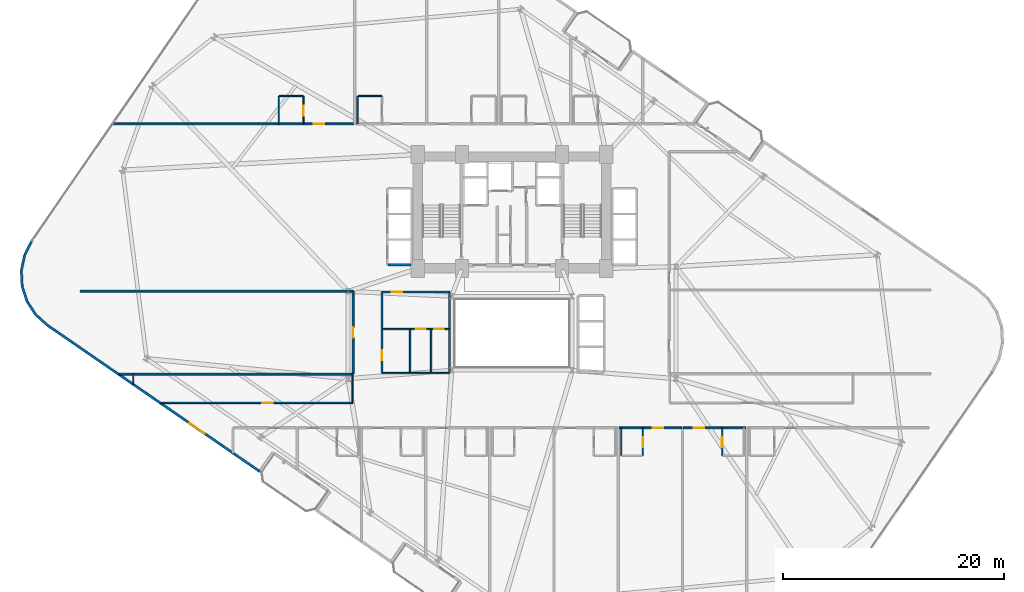
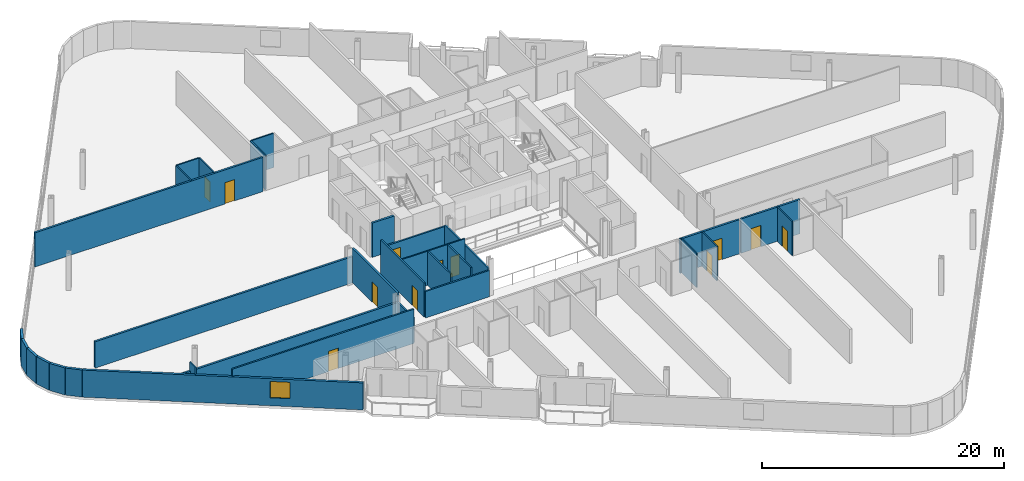
# One storey, part 18 of 25: 32 walls, 12 doors, 1 window, 13 openings.
"""IFC4 building model written with IfcOpenShell, lengths in metres."""

import ifcopenshell
import ifcopenshell.guid

model = None  # the IFC model being written
_history = None  # IfcOwnerHistory: only IFC2X3 demands one
_inside = {}  # id of a spatial element -> (the spatial element, [elements in it])
_under = {}  # id of a project, library or spatial element -> (it, [spatial elements below it])
_declared = {}  # id of a project -> (the project, [libraries it declares])
_typed = {}  # id of a type object -> (the type object, [elements of that type])
_made_of = {}  # id of a material, layer set ... -> (it, [elements and type objects made of it])


def new_model(schema):
    """Start an empty IFC model of exactly this schema.

    Asked for "IFC4X3", IfcOpenShell would pick the latest addendum, in which some entities
    have other attributes; the version numbers below select the first issue.
    IFC2X3 requires an IfcOwnerHistory on every rooted entity: one is made here for all.
    """
    global model, _history
    if schema == "IFC4X3":
        model = ifcopenshell.file(schema_version=(4, 3, 0, 0))
    else:
        model = ifcopenshell.file(schema=schema)
    _inside.clear()
    _under.clear()
    _declared.clear()
    _typed.clear()
    _made_of.clear()
    _history = None
    if model.schema == "IFC2X3":
        org = make("IfcOrganization", Name="unknown")
        user = make(
            "IfcPersonAndOrganization",
            ThePerson=make("IfcPerson", FamilyName="unknown"),
            TheOrganization=org,
        )
        app = make(
            "IfcApplication",
            ApplicationDeveloper=org,
            Version="unknown",
            ApplicationFullName="unknown",
            ApplicationIdentifier="unknown",
        )
        _history = make(
            "IfcOwnerHistory",
            OwningUser=user,
            OwningApplication=app,
            ChangeAction="ADDED",
            CreationDate=0,
        )
    return model


def make(cls, **values):
    """One entity of the class cls with the attributes given. An attribute that is None is left unset."""
    return model.create_entity(
        cls, **{name: value for name, value in values.items() if value is not None}
    )


def rooted(cls, **values):
    """An entity with a GlobalId (a new one), such as an element, a storey or a relation."""
    return make(cls, GlobalId=ifcopenshell.guid.new(), OwnerHistory=_history, **values)


def si_unit(unit_type, name, prefix=None):
    """IfcSIUnit, for example si_unit("LENGTHUNIT", "METRE", prefix="MILLI")."""
    return make("IfcSIUnit", UnitType=unit_type, Prefix=prefix, Name=name)


def assignment(units):
    """IfcUnitAssignment: the units of a project."""
    return None if units is None else make("IfcUnitAssignment", Units=units)


def point(xyz):
    """IfcCartesianPoint."""
    return None if xyz is None else make("IfcCartesianPoint", Coordinates=xyz)


def direction(xyz):
    """IfcDirection."""
    return None if xyz is None else make("IfcDirection", DirectionRatios=xyz)


def frame(location, z_axis=None, x_axis=None):
    """IfcAxis2Placement3D, a coordinate frame: its origin and axes. An axis left out is left unset."""
    return make(
        "IfcAxis2Placement3D",
        Location=point(location),
        Axis=direction(z_axis),
        RefDirection=direction(x_axis),
    )


def frame_2d(location, x_axis=None):
    """IfcAxis2Placement2D, a coordinate frame in the plane: its origin and x axis."""
    return make(
        "IfcAxis2Placement2D", Location=point(location), RefDirection=direction(x_axis)
    )


def origin():
    """The frame at (0, 0, 0) with its axes left unset."""
    return frame((0.0, 0.0, 0.0))


def place(relative_to, where):
    """IfcLocalPlacement: puts the frame where relative to a parent placement (None: the world)."""
    return make(
        "IfcLocalPlacement", PlacementRelTo=relative_to, RelativePlacement=where
    )


def context(
    kind, dimensions, precision=None, world=None, true_north=None, identifier=None
):
    """IfcGeometricRepresentationContext, for example the 3D "Model" context."""
    return make(
        "IfcGeometricRepresentationContext",
        ContextIdentifier=identifier,
        ContextType=kind,
        CoordinateSpaceDimension=dimensions,
        Precision=precision,
        WorldCoordinateSystem=world,
        TrueNorth=true_north,
    )


def subcontext(parent, identifier, kind, view, scale=None):
    """IfcGeometricRepresentationSubContext, for example "Body" below "Model"."""
    return make(
        "IfcGeometricRepresentationSubContext",
        ContextIdentifier=identifier,
        ContextType=kind,
        ParentContext=parent,
        TargetScale=scale,
        TargetView=view,
    )


def project(units=None, contexts=None):
    """IfcProject with its units and contexts."""
    return rooted(
        "IfcProject",
        Name="project",
        RepresentationContexts=contexts,
        UnitsInContext=assignment(units),
    )


def spatial(cls, under=None, at=None, **own):
    """A site, building, storey or space (cls), placed at a placement, below another one or the project."""
    s = rooted(cls, ObjectPlacement=at, **own)
    if under is not None:
        _under.setdefault(under.id(), (under, []))[1].append(s)
    return s


def profile(cls, at=None, kind="AREA", **sizes):
    """A parametric profile (cls). Its sizes go by their IFC names, for example OverallWidth=200.0."""
    return make(cls, ProfileType=kind, Position=at, **sizes)


def rectangle(**sizes):
    """IfcRectangleProfileDef."""
    return profile("IfcRectangleProfileDef", **sizes)


def extrude(swept, where, along, depth):
    """IfcExtrudedAreaSolid: the profile swept, set in the frame where, extruded along a direction by depth."""
    return make(
        "IfcExtrudedAreaSolid",
        SweptArea=swept,
        Position=where,
        ExtrudedDirection=direction(along),
        Depth=depth,
    )


def shape(context_of_items, identifier, shape_type, items):
    """IfcShapeRepresentation: the items that make up one representation, for example the "Body"."""
    return make(
        "IfcShapeRepresentation",
        ContextOfItems=context_of_items,
        RepresentationIdentifier=identifier,
        RepresentationType=shape_type,
        Items=items,
    )


def material(Name=None, Category=None):
    """IfcMaterial."""
    return make("IfcMaterial", Name=Name, Category=Category)


def layer(
    of_material, thickness, ventilated=None, Name=None, Category=None, Priority=None
):
    """IfcMaterialLayer: one layer of a wall or slab, of a material (None: an air gap)."""
    return make(
        "IfcMaterialLayer",
        Material=of_material,
        LayerThickness=thickness,
        IsVentilated=ventilated,
        Name=Name,
        Category=Category,
        Priority=Priority,
    )


def layer_set(layers, Name=None):
    """IfcMaterialLayerSet."""
    return make("IfcMaterialLayerSet", MaterialLayers=layers, LayerSetName=Name)


def made_of(thing, what):
    """Note that an element or type object is made of a material, layer set ...; save() writes the relation."""
    if what is not None:
        _made_of.setdefault(what.id(), (what, []))[1].append(thing)
    return thing


def type_object(cls, material=None, **own):
    """A type object (cls), such as IfcWallType, which elements share."""
    return made_of(rooted(cls, **own), material)


def element(
    cls,
    number,
    at=None,
    inside=None,
    cuts=None,
    type_object=None,
    material=None,
    context=None,
    identifier="Body",
    shape_type=None,
    held_by="IfcProductDefinitionShape",
    body=None,
    shapes=None,
    **own,
):
    """One element of the class cls, such as IfcWall. Its Tag is "e" and its number.

    at: its placement. inside: the storey or other place that contains it. cuts: it is an
    opening in that element (IfcRelVoidsElement). A single representation is given by context,
    identifier, shape_type and body (its items); several are given by shapes. held_by: the class
    of the entity that holds the representations. save() writes the other relations.
    """
    e = rooted(cls, Tag="e%d" % number, ObjectPlacement=at, **own)
    if body is not None:
        shapes = [shape(context, identifier, shape_type, body)]
    if shapes is not None:
        e.Representation = make(held_by, Representations=shapes)
    if inside is not None:
        _inside.setdefault(inside.id(), (inside, []))[1].append(e)
    if cuts is not None:
        rooted(
            "IfcRelVoidsElement", RelatingBuildingElement=cuts, RelatedOpeningElement=e
        )
    if type_object is not None:
        _typed.setdefault(type_object.id(), (type_object, []))[1].append(e)
    return made_of(e, material)


def fill(opening, filler):
    """IfcRelFillsElement: the door or window that sits in an opening."""
    return rooted(
        "IfcRelFillsElement",
        RelatingOpeningElement=opening,
        RelatedBuildingElement=filler,
    )


def aggregate(whole, parts):
    """IfcRelAggregates: a whole, such as a stair, and the parts it consists of."""
    return rooted("IfcRelAggregates", RelatingObject=whole, RelatedObjects=parts)


def save(model, path):
    """Write the relations noted so far, then the file.

    IfcRelAggregates (storeys below a building ...), IfcRelContainedInSpatialStructure (elements
    in a storey), IfcRelDefinesByType, IfcRelAssociatesMaterial and IfcRelDeclares: one each for
    every whole, place, type object, material and project.
    """
    for whole, parts in _under.values():
        aggregate(whole, parts)
    for where, things in _inside.values():
        rooted(
            "IfcRelContainedInSpatialStructure",
            RelatedElements=things,
            RelatingStructure=where,
        )
    for kind, things in _typed.values():
        rooted("IfcRelDefinesByType", RelatedObjects=things, RelatingType=kind)
    for what, things in _made_of.values():
        rooted("IfcRelAssociatesMaterial", RelatedObjects=things, RelatingMaterial=what)
    for by, libraries in _declared.values():
        rooted("IfcRelDeclares", RelatingContext=by, RelatedDefinitions=libraries)
    model.write(path)


model = new_model("IFC4")

# Units and contexts
model_context = context("Model", 3, precision=1e-05, world=origin(), true_north=direction((0.0, 1.0)))
body_context = subcontext(model_context, "Body", "Model", "MODEL_VIEW")
ifc_project = project(units=[si_unit("LENGTHUNIT", "METRE"), si_unit("AREAUNIT", "SQUARE_METRE"), si_unit("VOLUMEUNIT", "CUBIC_METRE"), si_unit("PLANEANGLEUNIT", "RADIAN"), si_unit("MASSUNIT", "GRAM", prefix="KILO")], contexts=[model_context])

# Site, building, storey
site_placement = place(None, origin())
site = spatial("IfcSite", under=ifc_project, at=site_placement, CompositionType="ELEMENT")
building_placement = place(site_placement, origin())
building = spatial("IfcBuilding", under=site, at=building_placement, Name="Varnelok Gate Tower", CompositionType="ELEMENT")
storey_placement = place(building_placement, frame((0.0, 0.0, 64.0)))
storey = spatial("IfcBuildingStorey", under=building, at=storey_placement, Name="L15", CompositionType="ELEMENT", Elevation=64.0)

# Walls
ifc_material_1 = material(Name="Concrete C45/55", Category="concrete")
ifc_layer_1 = layer(ifc_material_1, 0.219970703125)
ifc_layer_set_1 = layer_set([ifc_layer_1], Name="Concrete C45/55")
wall_type_1 = type_object("IfcWallType", Name="EW-BALC-220", PredefinedType="SOLIDWALL", material=ifc_layer_set_1)
wall_1_placement = place(storey_placement, frame((-4.158203125, 31.24462890625, 0.0), z_axis=(0.0, 0.0, 1.0), x_axis=(-0.454777156549, -0.890605264908, 0.0)))
element("IfcWall", 1, at=wall_1_placement, inside=storey, type_object=wall_type_1, Name="L15 Perimeter Facade Closure Wall 1", PredefinedType="SOLIDWALL", context=body_context, shape_type="SweptSolid", body=[
    extrude(rectangle(XDim=1.43017578125, YDim=0.219970703125, at=frame_2d((0.715087890625, 0.0))), origin(), (0.0, 0.0, 1.0), 2.72998046875),
])
for number, where, z_axis, x_axis, name in (
    (2, (-4.81396484375, 29.946533203125, 0.0), (0.0, 0.0, 1.0), (-0.208829011645, -0.977952168511, 0.0), "L15 Perimeter Facade Closure Wall 2"),
    (3, (-5.106201171875, 28.547119140625, 0.0), (0.0, 0.0, 1.0), (0.051254741739, -0.998685611917, 0.0), "L15 Perimeter Facade Closure Wall 3"),
    (4, (-5.026611328125, 27.1201171875, 0.0), (0.0, 0.0, 1.0), (0.308190297603, -0.95132472924, 0.0), "L15 Perimeter Facade Closure Wall 4"),
    (5, (-4.580078125, 25.76220703125, 0.0), (0.0, 0.0, 1.0), (0.543748195851, -0.839248413468, 0.0), "L15 Perimeter Facade Closure Wall 5"),
):
    element("IfcWall", number, at=place(storey_placement, frame(where, z_axis=z_axis, x_axis=x_axis)), inside=storey, type_object=wall_type_1, Name=name, PredefinedType="SOLIDWALL", context=body_context, shape_type="SweptSolid", body=[
        extrude(rectangle(XDim=1.4052734375, YDim=0.219970703125, at=frame_2d((0.70263671875, 0.0))), origin(), (0.0, 0.0, 1.0), 2.72998046875),
    ])
wall_2_placement = place(storey_placement, frame((-3.79736328125, 24.56591796875, 0.0), z_axis=(0.0, 0.0, 1.0), x_axis=(0.742537711837, -0.66980425984, 0.0)))
element("IfcWall", 6, at=wall_2_placement, inside=storey, type_object=wall_type_1, Name="L15 Perimeter Facade Closure Wall 6", PredefinedType="SOLIDWALL", context=body_context, shape_type="SweptSolid", body=[
    extrude(rectangle(XDim=1.4130859375, YDim=0.219970703125, at=frame_2d((0.70654296875, 0.0))), origin(), (0.0, 0.0, 1.0), 2.72998046875),
])

# Wall, opening, window
wall_3_placement = place(storey_placement, frame((-2.7275390625, 23.60498046875, 0.0), z_axis=(0.0, 0.0, 1.0), x_axis=(0.823535075462, -0.567265351915, 0.0)))
wall_3 = element("IfcWall", 7, at=wall_3_placement, inside=storey, type_object=wall_type_1, Name="L15 Perimeter Facade Closure Wall 7", PredefinedType="SOLIDWALL", context=body_context, shape_type="SweptSolid", body=[
    extrude(rectangle(XDim=23.2470703125, YDim=0.219970703125, at=frame_2d((11.62353515625, 0.0))), origin(), (0.0, 0.0, 1.0), 2.72998046875),
])
opening_1_placement = place(wall_3_placement, frame((15.550048828125, 0.0, 0.800048828125)))
opening_1 = element("IfcOpeningElement", 8, at=opening_1_placement, cuts=wall_3, Name="Opening WN3", PredefinedType="OPENING", context=body_context, shape_type="SweptSolid", body=[
    extrude(rectangle(XDim=1.64990234375, YDim=1.64990234375, at=frame_2d((0.824951171875, 0.824951171875))), frame((0.0, 0.119873046875, 0.0), z_axis=(0.0, -1.0, 0.0), x_axis=(1.0, 0.0, 0.0)), (0.0, 0.0, 1.0), 0.239990234375),
])
ifc_material_2 = material(Name="Low-E Laminated Double Glazing IGU", Category="glass")
window_type = type_object("IfcWindowType", Name="WN-HTL-1650", PartitioningType="SINGLE_PANEL", PredefinedType="WINDOW", material=ifc_material_2)
window_placement = place(opening_1_placement, origin())
window = element("IfcWindow", 9, at=window_placement, inside=storey, type_object=window_type, Name="L15 Perimeter Vision Window 7", OverallHeight=1.64990234375, OverallWidth=1.64990234375, PartitioningType="SINGLE_PANEL", PredefinedType="WINDOW", context=body_context, shape_type="SweptSolid", body=[
    extrude(rectangle(XDim=1.64990234375, YDim=1.64990234375, at=frame_2d((0.824951171875, 0.824951171875))), frame((0.0, 0.030029296875, 0.0), z_axis=(0.0, -1.0, 0.0), x_axis=(1.0, 0.0, 0.0)), (0.0, 0.0, 1.0), 0.06005859375),
])
fill(opening_1, window)

# Wall, opening, door
ifc_material_3 = material(Name="Gypsum Plasterboard Acoustic Partition", Category="gypsum")
ifc_layer_2 = layer(ifc_material_3, 0.179931640625)
ifc_layer_set_2 = layer_set([ifc_layer_2], Name="Gypsum Plasterboard Acoustic Partition")
wall_type_2 = type_object("IfcWallType", Name="PW-CORR-180", PredefinedType="PARTITIONING", material=ifc_layer_set_2)
wall_4_placement = place(storey_placement, frame((48.8798828125, 14.35009765625, 0.0), z_axis=(0.0, 0.0, 1.0), x_axis=(1.0, 0.0, 0.0)))
wall_4 = element("IfcWall", 10, at=wall_4_placement, inside=storey, type_object=wall_type_2, Name="Interior Partition", PredefinedType="PARTITIONING", context=body_context, shape_type="SweptSolid", body=[
    extrude(rectangle(XDim=5.64013671875, YDim=0.179931640625, at=frame_2d((2.820068359375, 0.0))), origin(), (0.0, 0.0, 1.0), 3.449951171875),
])
opening_2_placement = place(wall_4_placement, frame((3.044677734375, 0.0, 0.0)))
opening_2 = element("IfcOpeningElement", 11, at=opening_2_placement, cuts=wall_4, Name="Opening D-HT", PredefinedType="OPENING", context=body_context, shape_type="SweptSolid", body=[
    extrude(rectangle(XDim=0.949951171875, YDim=2.14990234375, at=frame_2d((0.47509765625, 1.074951171875))), frame((0.0, 0.099853515625, 0.0), z_axis=(0.0, -1.0, 0.0), x_axis=(1.0, 0.0, 0.0)), (0.0, 0.0, 1.0), 0.199951171875),
])
ifc_material_4 = material(Name="Engineered Hardwood Timber", Category="wood")
door_type_1 = type_object("IfcDoorType", Name="DR-HTL-950", OperationType="NOTDEFINED", PredefinedType="DOOR", material=ifc_material_4)
door_1_placement = place(opening_2_placement, origin())
door_1 = element("IfcDoor", 12, at=door_1_placement, inside=storey, type_object=door_type_1, Name="L15 Guest Room 08 Entrance Door", OperationType="SINGLE_SWING_LEFT", OverallHeight=2.14990234375, OverallWidth=0.949951171875, PredefinedType="DOOR", context=body_context, shape_type="SweptSolid", body=[
    extrude(rectangle(XDim=0.949951171875, YDim=2.14990234375, at=frame_2d((0.47509765625, 1.074951171875))), frame((0.0, 0.02490234375, 0.0), z_axis=(0.0, -1.0, 0.0), x_axis=(1.0, 0.0, 0.0)), (0.0, 0.0, 1.0), 0.050048828125),
])
fill(opening_2, door_1)

wall_5_placement = place(storey_placement, frame((54.679931640625, 14.35009765625, 0.0), z_axis=(0.0, 0.0, 1.0), x_axis=(1.0, 0.0, 0.0)))
wall_5 = element("IfcWall", 13, at=wall_5_placement, inside=storey, type_object=wall_type_2, Name="Interior Partition", PredefinedType="PARTITIONING", context=body_context, shape_type="SweptSolid", body=[
    extrude(rectangle(XDim=5.64013671875, YDim=0.179931640625, at=frame_2d((2.820068359375, 0.0))), origin(), (0.0, 0.0, 1.0), 3.449951171875),
])
opening_3_placement = place(wall_5_placement, frame((0.9326171875, 0.0, 0.0)))
opening_3 = element("IfcOpeningElement", 14, at=opening_3_placement, cuts=wall_5, Name="Opening D-HT", PredefinedType="OPENING", context=body_context, shape_type="SweptSolid", body=[
    extrude(rectangle(XDim=0.949951171875, YDim=2.14990234375, at=frame_2d((0.47509765625, 1.074951171875))), frame((0.0, 0.099853515625, 0.0), z_axis=(0.0, -1.0, 0.0), x_axis=(1.0, 0.0, 0.0)), (0.0, 0.0, 1.0), 0.199951171875),
])
door_2_placement = place(opening_3_placement, origin())
door_2 = element("IfcDoor", 15, at=door_2_placement, inside=storey, type_object=door_type_1, Name="L15 Guest Room 09 Entrance Door", OperationType="SINGLE_SWING_RIGHT", OverallHeight=2.14990234375, OverallWidth=0.949951171875, PredefinedType="DOOR", context=body_context, shape_type="SweptSolid", body=[
    extrude(rectangle(XDim=0.949951171875, YDim=2.14990234375, at=frame_2d((0.47509765625, 1.074951171875))), frame((0.0, 0.02490234375, 0.0), z_axis=(0.0, -1.0, 0.0), x_axis=(1.0, 0.0, 0.0)), (0.0, 0.0, 1.0), 0.050048828125),
])
fill(opening_3, door_2)

wall_6_placement = place(storey_placement, frame((3.17578125, 41.800048828125, 0.0), z_axis=(0.0, 0.0, 1.0), x_axis=(1.0, 0.0, 0.0)))
wall_6 = element("IfcWall", 16, at=wall_6_placement, inside=storey, type_object=wall_type_2, Name="Interior Partition", PredefinedType="PARTITIONING", context=body_context, shape_type="SweptSolid", body=[
    extrude(rectangle(XDim=21.744140625, YDim=0.179931640625, at=frame_2d((10.8720703125, 0.0))), origin(), (0.0, 0.0, 1.0), 3.449951171875),
])
opening_4_placement = place(wall_6_placement, frame((18.100830078125, 0.0, 0.0)))
opening_4 = element("IfcOpeningElement", 17, at=opening_4_placement, cuts=wall_6, Name="Opening D-HT", PredefinedType="OPENING", context=body_context, shape_type="SweptSolid", body=[
    extrude(rectangle(XDim=0.949951171875, YDim=2.14990234375, at=frame_2d((0.47509765625, 1.074951171875))), frame((0.0, 0.099853515625, 0.0), z_axis=(0.0, -1.0, 0.0), x_axis=(1.0, 0.0, 0.0)), (0.0, 0.0, 1.0), 0.199951171875),
])
door_3_placement = place(opening_4_placement, origin())
door_3 = element("IfcDoor", 18, at=door_3_placement, inside=storey, type_object=door_type_1, Name="L15 Guest Room 11 Entrance Door", OperationType="SINGLE_SWING_RIGHT", OverallHeight=2.14990234375, OverallWidth=0.949951171875, PredefinedType="DOOR", context=body_context, shape_type="SweptSolid", body=[
    extrude(rectangle(XDim=0.949951171875, YDim=2.14990234375, at=frame_2d((0.47509765625, 1.074951171875))), frame((0.0, 0.02490234375, 0.0), z_axis=(0.0, -1.0, 0.0), x_axis=(1.0, 0.0, 0.0)), (0.0, 0.0, 1.0), 0.050048828125),
])
fill(opening_4, door_3)

wall_7_placement = place(storey_placement, frame((24.85009765625, 19.239990234375, 0.0), z_axis=(0.0, 0.0, 1.0), x_axis=(0.0, 1.0, 0.0)))
wall_7 = element("IfcWall", 19, at=wall_7_placement, inside=storey, type_object=wall_type_2, Name="Interior Partition", PredefinedType="PARTITIONING", context=body_context, shape_type="SweptSolid", body=[
    extrude(rectangle(XDim=7.4599609375, YDim=0.179931640625, at=frame_2d((3.72998046875, 0.0))), origin(), (0.0, 0.0, 1.0), 3.449951171875),
])
opening_5_placement = place(wall_7_placement, frame((3.235107421875, 0.0, 0.0)))
opening_5 = element("IfcOpeningElement", 20, at=opening_5_placement, cuts=wall_7, Name="Opening D-I2", PredefinedType="OPENING", context=body_context, shape_type="SweptSolid", body=[
    extrude(rectangle(XDim=0.949951171875, YDim=2.050048828125, at=frame_2d((0.47509765625, 1.02490234375))), frame((0.0, 0.099853515625, 0.0), z_axis=(0.0, -1.0, 0.0), x_axis=(1.0, 0.0, 0.0)), (0.0, 0.0, 1.0), 0.199951171875),
])
door_type_2 = type_object("IfcDoorType", Name="DR-INT-950", OperationType="NOTDEFINED", PredefinedType="DOOR", material=ifc_material_4)
door_4_placement = place(opening_5_placement, origin())
door_4 = element("IfcDoor", 21, at=door_4_placement, inside=storey, type_object=door_type_2, Name="L15 West Flank Room Door", OperationType="SINGLE_SWING_LEFT", OverallHeight=2.050048828125, OverallWidth=0.949951171875, PredefinedType="DOOR", context=body_context, shape_type="SweptSolid", body=[
    extrude(rectangle(XDim=0.949951171875, YDim=2.050048828125, at=frame_2d((0.47509765625, 1.02490234375))), frame((0.0, 0.02490234375, 0.0), z_axis=(0.0, -1.0, 0.0), x_axis=(1.0, 0.0, 0.0)), (0.0, 0.0, 1.0), 0.050048828125),
])
fill(opening_5, door_4)

# Walls
wall_8_placement = place(storey_placement, frame((3.702880859375, 19.199951171875, 0.0), z_axis=(0.0, 0.0, 1.0), x_axis=(1.0, 0.0, 0.0)))
element("IfcWall", 22, at=wall_8_placement, inside=storey, type_object=wall_type_2, Name="Interior Partition", PredefinedType="PARTITIONING", context=body_context, shape_type="SweptSolid", body=[
    extrude(rectangle(XDim=21.147216796875, YDim=0.179931640625, at=frame_2d((10.57373046875, 0.0))), origin(), (0.0, 0.0, 1.0), 2.580078125),
])
wall_9_placement = place(storey_placement, frame((0.199951171875, 26.699951171875, 0.0), z_axis=(0.0, 0.0, 1.0), x_axis=(1.0, 0.0, 0.0)))
element("IfcWall", 23, at=wall_9_placement, inside=storey, type_object=wall_type_2, Name="Interior Partition", PredefinedType="PARTITIONING", context=body_context, shape_type="SweptSolid", body=[
    extrude(rectangle(XDim=24.650146484375, YDim=0.179931640625, at=frame_2d((12.3251953125, 0.0))), origin(), (0.0, 0.0, 1.0), 2.662109375),
])

# Wall, opening, door
ifc_layer_3 = layer(ifc_material_3, 0.114990234375)
ifc_layer_set_3 = layer_set([ifc_layer_3], Name="Gypsum Plasterboard Acoustic Partition")
wall_type_3 = type_object("IfcWallType", Name="PW-ENS-125", PredefinedType="PARTITIONING", material=ifc_layer_set_3)
wall_10_placement = place(storey_placement, frame((51.011962890625, 11.830078125, 0.0), z_axis=(0.0, 0.0, 1.0), x_axis=(0.0, 1.0, 0.0)))
wall_10 = element("IfcWall", 24, at=wall_10_placement, inside=storey, type_object=wall_type_3, Name="Interior Partition", PredefinedType="PARTITIONING", context=body_context, shape_type="SweptSolid", body=[
    extrude(rectangle(XDim=2.52001953125, YDim=0.114990234375, at=frame_2d((1.260009765625, 0.0))), origin(), (0.0, 0.0, 1.0), 3.449951171875),
])
opening_6_placement = place(wall_10_placement, frame((0.760009765625, 0.0, 0.0)))
opening_6 = element("IfcOpeningElement", 25, at=opening_6_placement, cuts=wall_10, Name="Opening D-WC", PredefinedType="OPENING", context=body_context, shape_type="SweptSolid", body=[
    extrude(rectangle(XDim=0.89990234375, YDim=2.050048828125, at=frame_2d((0.449951171875, 1.02490234375))), frame((0.0, 0.0673828125, 0.0), z_axis=(0.0, -1.0, 0.0), x_axis=(1.0, 0.0, 0.0)), (0.0, 0.0, 1.0), 0.135009765625),
])
door_type_3 = type_object("IfcDoorType", Name="DR-BATH-900", OperationType="NOTDEFINED", PredefinedType="DOOR", material=ifc_material_4)
door_5_placement = place(opening_6_placement, origin())
door_5 = element("IfcDoor", 26, at=door_5_placement, inside=storey, type_object=door_type_3, Name="L15 Guest En-Suite 08 Door", OperationType="SINGLE_SWING_LEFT", OverallHeight=2.050048828125, OverallWidth=0.89990234375, PredefinedType="DOOR", context=body_context, shape_type="SweptSolid", body=[
    extrude(rectangle(XDim=0.89990234375, YDim=2.050048828125, at=frame_2d((0.449951171875, 1.02490234375))), frame((0.0, 0.02490234375, 0.0), z_axis=(0.0, -1.0, 0.0), x_axis=(1.0, 0.0, 0.0)), (0.0, 0.0, 1.0), 0.050048828125),
])
fill(opening_6, door_5)

# Wall
wall_11_placement = place(storey_placement, frame((49.06005859375, 11.830078125, 0.0), z_axis=(0.0, 0.0, 1.0), x_axis=(0.0, 1.0, 0.0)))
element("IfcWall", 27, at=wall_11_placement, inside=storey, type_object=wall_type_3, Name="Interior Partition", PredefinedType="PARTITIONING", context=body_context, shape_type="SweptSolid", body=[
    extrude(rectangle(XDim=2.52001953125, YDim=0.114990234375, at=frame_2d((1.260009765625, 0.0))), origin(), (0.0, 0.0, 1.0), 3.449951171875),
])

# Wall, opening, door
wall_12_placement = place(storey_placement, frame((58.18798828125, 11.830078125, 0.0), z_axis=(0.0, 0.0, 1.0), x_axis=(0.0, 1.0, 0.0)))
wall_12 = element("IfcWall", 28, at=wall_12_placement, inside=storey, type_object=wall_type_3, Name="Interior Partition", PredefinedType="PARTITIONING", context=body_context, shape_type="SweptSolid", body=[
    extrude(rectangle(XDim=2.52001953125, YDim=0.114990234375, at=frame_2d((1.260009765625, 0.0))), origin(), (0.0, 0.0, 1.0), 3.449951171875),
])
opening_7_placement = place(wall_12_placement, frame((0.760009765625, 0.0, 0.0)))
opening_7 = element("IfcOpeningElement", 29, at=opening_7_placement, cuts=wall_12, Name="Opening D-WC", PredefinedType="OPENING", context=body_context, shape_type="SweptSolid", body=[
    extrude(rectangle(XDim=0.89990234375, YDim=2.050048828125, at=frame_2d((0.449951171875, 1.02490234375))), frame((0.0, 0.0673828125, 0.0), z_axis=(0.0, -1.0, 0.0), x_axis=(1.0, 0.0, 0.0)), (0.0, 0.0, 1.0), 0.135009765625),
])
door_6_placement = place(opening_7_placement, origin())
door_6 = element("IfcDoor", 30, at=door_6_placement, inside=storey, type_object=door_type_3, Name="L15 Guest En-Suite 09 Door", OperationType="SINGLE_SWING_RIGHT", OverallHeight=2.050048828125, OverallWidth=0.89990234375, PredefinedType="DOOR", context=body_context, shape_type="SweptSolid", body=[
    extrude(rectangle(XDim=0.89990234375, YDim=2.050048828125, at=frame_2d((0.449951171875, 1.02490234375))), frame((0.0, 0.02490234375, 0.0), z_axis=(0.0, -1.0, 0.0), x_axis=(1.0, 0.0, 0.0)), (0.0, 0.0, 1.0), 0.050048828125),
])
fill(opening_7, door_6)

# Wall
wall_13_placement = place(storey_placement, frame((18.179931640625, 44.320068359375, 0.0), z_axis=(0.0, 0.0, 1.0), x_axis=(1.0, 0.0, 0.0)))
element("IfcWall", 31, at=wall_13_placement, inside=storey, type_object=wall_type_3, Name="Interior Partition", PredefinedType="PARTITIONING", context=body_context, shape_type="SweptSolid", body=[
    extrude(rectangle(XDim=2.150146484375, YDim=0.114990234375, at=frame_2d((1.0751953125, 0.0))), origin(), (0.0, 0.0, 1.0), 3.449951171875),
])

# Wall, opening, door
wall_14_placement = place(storey_placement, frame((20.3701171875, 41.800048828125, 0.0), z_axis=(0.0, 0.0, 1.0), x_axis=(0.0, 1.0, 0.0)))
wall_14 = element("IfcWall", 32, at=wall_14_placement, inside=storey, type_object=wall_type_3, Name="Interior Partition", PredefinedType="PARTITIONING", context=body_context, shape_type="SweptSolid", body=[
    extrude(rectangle(XDim=2.52001953125, YDim=0.114990234375, at=frame_2d((1.260009765625, 0.0))), origin(), (0.0, 0.0, 1.0), 3.449951171875),
])
opening_8_placement = place(wall_14_placement, frame((0.760009765625, 0.0, 0.0)))
opening_8 = element("IfcOpeningElement", 33, at=opening_8_placement, cuts=wall_14, Name="Opening D-WC", PredefinedType="OPENING", context=body_context, shape_type="SweptSolid", body=[
    extrude(rectangle(XDim=0.89990234375, YDim=2.050048828125, at=frame_2d((0.449951171875, 1.02490234375))), frame((0.0, 0.0673828125, 0.0), z_axis=(0.0, -1.0, 0.0), x_axis=(1.0, 0.0, 0.0)), (0.0, 0.0, 1.0), 0.135009765625),
])
door_7_placement = place(opening_8_placement, origin())
door_7 = element("IfcDoor", 34, at=door_7_placement, inside=storey, type_object=door_type_3, Name="L15 North En-Suite 11 Door", OperationType="SINGLE_SWING_RIGHT", OverallHeight=2.050048828125, OverallWidth=0.89990234375, PredefinedType="DOOR", context=body_context, shape_type="SweptSolid", body=[
    extrude(rectangle(XDim=0.89990234375, YDim=2.050048828125, at=frame_2d((0.449951171875, 1.02490234375))), frame((0.0, 0.02490234375, 0.0), z_axis=(0.0, -1.0, 0.0), x_axis=(1.0, 0.0, 0.0)), (0.0, 0.0, 1.0), 0.050048828125),
])
fill(opening_8, door_7)

# Walls
wall_15_placement = place(storey_placement, frame((18.139892578125, 41.800048828125, 0.0), z_axis=(0.0, 0.0, 1.0), x_axis=(0.0, 1.0, 0.0)))
element("IfcWall", 35, at=wall_15_placement, inside=storey, type_object=wall_type_3, Name="Interior Partition", PredefinedType="PARTITIONING", context=body_context, shape_type="SweptSolid", body=[
    extrude(rectangle(XDim=2.52001953125, YDim=0.114990234375, at=frame_2d((1.260009765625, 0.0))), origin(), (0.0, 0.0, 1.0), 3.449951171875),
])
wall_16_placement = place(storey_placement, frame((25.300048828125, 44.320068359375, 0.0), z_axis=(0.0, 0.0, 1.0), x_axis=(1.0, 0.0, 0.0)))
element("IfcWall", 36, at=wall_16_placement, inside=storey, type_object=wall_type_3, Name="Interior Partition", PredefinedType="PARTITIONING", context=body_context, shape_type="SweptSolid", body=[
    extrude(rectangle(XDim=2.1240234375, YDim=0.114990234375, at=frame_2d((1.06201171875, 0.0))), origin(), (0.0, 0.0, 1.0), 3.449951171875),
])
wall_17_placement = place(storey_placement, frame((25.260009765625, 41.800048828125, 0.0), z_axis=(0.0, 0.0, 1.0), x_axis=(0.0, 1.0, 0.0)))
element("IfcWall", 37, at=wall_17_placement, inside=storey, type_object=wall_type_3, Name="Interior Partition", PredefinedType="PARTITIONING", context=body_context, shape_type="SweptSolid", body=[
    extrude(rectangle(XDim=2.52001953125, YDim=0.114990234375, at=frame_2d((1.260009765625, 0.0))), origin(), (0.0, 0.0, 1.0), 3.449951171875),
])
ifc_layer_4 = layer(ifc_material_3, 0.125)
ifc_layer_set_4 = layer_set([ifc_layer_4], Name="Gypsum Plasterboard Acoustic Partition")
wall_type_4 = type_object("IfcWallType", Name="PW-PART-125", PredefinedType="PARTITIONING", material=ifc_layer_set_4)
wall_18_placement = place(storey_placement, frame((5.0, 18.306396484375, 0.0), z_axis=(0.0, 0.0, 1.0), x_axis=(0.0, 1.0, 0.0)))
element("IfcWall", 38, at=wall_18_placement, inside=storey, type_object=wall_type_4, Name="Interior Partition", PredefinedType="PARTITIONING", context=body_context, shape_type="SweptSolid", body=[
    extrude(rectangle(XDim=0.93359375, YDim=0.125, at=frame_2d((0.466796875, 0.0))), origin(), (0.0, 0.0, 1.0), 3.449951171875),
])
wall_19_placement = place(storey_placement, frame((24.800048828125, 16.610107421875, 0.0), z_axis=(0.0, 0.0, 1.0), x_axis=(0.0, 1.0, 0.0)))
element("IfcWall", 39, at=wall_19_placement, inside=storey, type_object=wall_type_4, Name="Interior Partition", PredefinedType="PARTITIONING", context=body_context, shape_type="SweptSolid", body=[
    extrude(rectangle(XDim=2.6298828125, YDim=0.125, at=frame_2d((1.31494140625, 0.0))), origin(), (0.0, 0.0, 1.0), 2.580078125),
])

# Wall, openings, doors
wall_20_placement = place(storey_placement, frame((27.52001953125, 23.27001953125, 0.0), z_axis=(0.0, 0.0, 1.0), x_axis=(1.0, 0.0, 0.0)))
wall_20 = element("IfcWall", 40, at=wall_20_placement, inside=storey, type_object=wall_type_4, Name="Interior Partition", PredefinedType="PARTITIONING", context=body_context, shape_type="SweptSolid", body=[
    extrude(rectangle(XDim=6.0, YDim=0.125, at=frame_2d((3.0, 0.0))), origin(), (0.0, 0.0, 1.0), 3.449951171875),
])
opening_9_placement = place(wall_20_placement, frame((2.981689453125, 0.0, 0.0)))
opening_9 = element("IfcOpeningElement", 41, at=opening_9_placement, cuts=wall_20, Name="Opening D-I4", PredefinedType="OPENING", context=body_context, shape_type="SweptSolid", body=[
    extrude(rectangle(XDim=0.89990234375, YDim=2.050048828125, at=frame_2d((0.449951171875, 1.02490234375))), frame((0.0, 0.072509765625, 0.0), z_axis=(0.0, -1.0, 0.0), x_axis=(1.0, 0.0, 0.0)), (0.0, 0.0, 1.0), 0.14501953125),
])
opening_10_placement = place(wall_20_placement, frame((4.64990234375, 0.0, 0.0)))
opening_10 = element("IfcOpeningElement", 42, at=opening_10_placement, cuts=wall_20, Name="Opening D-RS", PredefinedType="OPENING", context=body_context, shape_type="SweptSolid", body=[
    extrude(rectangle(XDim=0.85009765625, YDim=2.050048828125, at=frame_2d((0.425048828125, 1.02490234375))), frame((0.0, 0.072509765625, 0.0), z_axis=(0.0, -1.0, 0.0), x_axis=(1.0, 0.0, 0.0)), (0.0, 0.0, 1.0), 0.14501953125),
])
door_type_4 = type_object("IfcDoorType", Name="DR-INT-900", OperationType="NOTDEFINED", PredefinedType="DOOR", material=ifc_material_4)
door_8_placement = place(opening_9_placement, origin())
door_8 = element("IfcDoor", 43, at=door_8_placement, inside=storey, type_object=door_type_4, Name="L15 Trolley Room Door", OperationType="SINGLE_SWING_LEFT", OverallHeight=2.050048828125, OverallWidth=0.89990234375, PredefinedType="DOOR", context=body_context, shape_type="SweptSolid", body=[
    extrude(rectangle(XDim=0.89990234375, YDim=2.050048828125, at=frame_2d((0.449951171875, 1.02490234375))), frame((0.0, 0.02490234375, 0.0), z_axis=(0.0, -1.0, 0.0), x_axis=(1.0, 0.0, 0.0)), (0.0, 0.0, 1.0), 0.050048828125),
])
fill(opening_9, door_8)
ifc_material_5 = material(Name="Galvanized Steel Grade S350GD", Category="steel")
door_type_5 = type_object("IfcDoorType", Name="DR-RISER-850", OperationType="NOTDEFINED", PredefinedType="DOOR", material=ifc_material_5)
door_9_placement = place(opening_10_placement, origin())
door_9 = element("IfcDoor", 44, at=door_9_placement, inside=storey, type_object=door_type_5, Name="L15 Janitor Sink Door", OperationType="SINGLE_SWING_RIGHT", OverallHeight=2.050048828125, OverallWidth=0.85009765625, PredefinedType="DOOR", context=body_context, shape_type="SweptSolid", body=[
    extrude(rectangle(XDim=0.85009765625, YDim=2.050048828125, at=frame_2d((0.425048828125, 1.02490234375))), frame((0.0, 0.02490234375, 0.0), z_axis=(0.0, -1.0, 0.0), x_axis=(1.0, 0.0, 0.0)), (0.0, 0.0, 1.0), 0.050048828125),
])
fill(opening_10, door_9)

# Walls
for number, where, z_axis, x_axis, name in (
    (45, (30.0, 19.3798828125, 0.0), (0.0, 0.0, 1.0), (0.0, 1.0, 0.0), "Interior Partition"),
    (46, (31.89990234375, 19.3798828125, 0.0), (0.0, 0.0, 1.0), (0.0, 1.0, 0.0), "Interior Partition"),
):
    element("IfcWall", number, at=place(storey_placement, frame(where, z_axis=z_axis, x_axis=x_axis)), inside=storey, type_object=wall_type_4, Name=name, PredefinedType="PARTITIONING", context=body_context, shape_type="SweptSolid", body=[
        extrude(rectangle(XDim=3.820068359375, YDim=0.125, at=frame_2d((1.91015625, 0.0))), origin(), (0.0, 0.0, 1.0), 3.449951171875),
    ])

# Wall, opening, door
ifc_layer_5 = layer(ifc_material_3, 0.14990234375)
ifc_layer_set_5 = layer_set([ifc_layer_5], Name="Gypsum Plasterboard Acoustic Partition")
wall_type_5 = type_object("IfcWallType", Name="PW-PART-150", PredefinedType="PARTITIONING", material=ifc_layer_set_5)
wall_21_placement = place(storey_placement, frame((7.462890625, 16.610107421875, 0.0), z_axis=(0.0, 0.0, 1.0), x_axis=(1.0, 0.0, 0.0)))
wall_21 = element("IfcWall", 47, at=wall_21_placement, inside=storey, type_object=wall_type_5, Name="Interior Partition", PredefinedType="PARTITIONING", context=body_context, shape_type="SweptSolid", body=[
    extrude(rectangle(XDim=17.337158203125, YDim=0.14990234375, at=frame_2d((8.66845703125, 0.0))), origin(), (0.0, 0.0, 1.0), 3.449951171875),
])
opening_11_placement = place(wall_21_placement, frame((9.197265625, 0.0, 0.0)))
opening_11 = element("IfcOpeningElement", 48, at=opening_11_placement, cuts=wall_21, Name="Opening D-I3", PredefinedType="OPENING", context=body_context, shape_type="SweptSolid", body=[
    extrude(rectangle(XDim=0.919921875, YDim=2.050048828125, at=frame_2d((0.4599609375, 1.02490234375))), frame((0.0, 0.0849609375, 0.0), z_axis=(0.0, -1.0, 0.0), x_axis=(1.0, 0.0, 0.0)), (0.0, 0.0, 1.0), 0.169921875),
])
door_type_6 = type_object("IfcDoorType", Name="DR-INT-920", OperationType="NOTDEFINED", PredefinedType="DOOR", material=ifc_material_4)
door_10_placement = place(opening_11_placement, origin())
door_10 = element("IfcDoor", 49, at=door_10_placement, inside=storey, type_object=door_type_6, Name="L15 Atrium Room 1 Door", OperationType="SINGLE_SWING_LEFT", OverallHeight=2.050048828125, OverallWidth=0.919921875, PredefinedType="DOOR", context=body_context, shape_type="SweptSolid", body=[
    extrude(rectangle(XDim=0.919921875, YDim=2.050048828125, at=frame_2d((0.4599609375, 1.02490234375))), frame((0.0, 0.02490234375, 0.0), z_axis=(0.0, -1.0, 0.0), x_axis=(1.0, 0.0, 0.0)), (0.0, 0.0, 1.0), 0.050048828125),
])
fill(opening_11, door_10)

wall_22_placement = place(storey_placement, frame((27.4599609375, 26.6201171875, 0.0), z_axis=(0.0, 0.0, 1.0), x_axis=(1.0, 0.0, 0.0)))
wall_22 = element("IfcWall", 50, at=wall_22_placement, inside=storey, type_object=wall_type_5, Name="Interior Partition", PredefinedType="PARTITIONING", context=body_context, shape_type="SweptSolid", body=[
    extrude(rectangle(XDim=6.10009765625, YDim=0.14990234375, at=frame_2d((3.050048828125, 0.0))), origin(), (0.0, 0.0, 1.0), 2.662109375),
])
opening_12_placement = place(wall_22_placement, frame((0.8896484375, 0.0, 0.0)))
opening_12 = element("IfcOpeningElement", 51, at=opening_12_placement, cuts=wall_22, Name="Opening D-I2", PredefinedType="OPENING", context=body_context, shape_type="SweptSolid", body=[
    extrude(rectangle(XDim=0.949951171875, YDim=2.050048828125, at=frame_2d((0.47509765625, 1.02490234375))), frame((0.0, 0.0849609375, 0.0), z_axis=(0.0, -1.0, 0.0), x_axis=(1.0, 0.0, 0.0)), (0.0, 0.0, 1.0), 0.169921875),
])
door_11_placement = place(opening_12_placement, origin())
door_11 = element("IfcDoor", 52, at=door_11_placement, inside=storey, type_object=door_type_2, Name="L15 Sky Library Door", OperationType="SINGLE_SWING_LEFT", OverallHeight=2.050048828125, OverallWidth=0.949951171875, PredefinedType="DOOR", context=body_context, shape_type="SweptSolid", body=[
    extrude(rectangle(XDim=0.949951171875, YDim=2.050048828125, at=frame_2d((0.47509765625, 1.02490234375))), frame((0.0, 0.02490234375, 0.0), z_axis=(0.0, -1.0, 0.0), x_axis=(1.0, 0.0, 0.0)), (0.0, 0.0, 1.0), 0.050048828125),
])
fill(opening_12, door_11)

# Wall
wall_23_placement = place(storey_placement, frame((27.4599609375, 19.300048828125, 0.0), z_axis=(0.0, 0.0, 1.0), x_axis=(1.0, 0.0, 0.0)))
element("IfcWall", 53, at=wall_23_placement, inside=storey, type_object=wall_type_5, Name="Interior Partition", PredefinedType="PARTITIONING", context=body_context, shape_type="SweptSolid", body=[
    extrude(rectangle(XDim=6.10009765625, YDim=0.14990234375, at=frame_2d((3.050048828125, 0.0))), origin(), (0.0, 0.0, 1.0), 2.662109375),
])

# Wall, opening, door
wall_24_placement = place(storey_placement, frame((27.4599609375, 19.3798828125, 0.0), z_axis=(0.0, 0.0, 1.0), x_axis=(0.0, 1.0, 0.0)))
wall_24 = element("IfcWall", 54, at=wall_24_placement, inside=storey, type_object=wall_type_5, Name="Interior Partition", PredefinedType="PARTITIONING", context=body_context, shape_type="SweptSolid", body=[
    extrude(rectangle(XDim=7.16015625, YDim=0.14990234375, at=frame_2d((3.580078125, 0.0))), origin(), (0.0, 0.0, 1.0), 3.449951171875),
])
opening_13_placement = place(wall_24_placement, frame((1.10009765625, 0.0, 0.0)))
opening_13 = element("IfcOpeningElement", 55, at=opening_13_placement, cuts=wall_24, Name="Opening D-WC", PredefinedType="OPENING", context=body_context, shape_type="SweptSolid", body=[
    extrude(rectangle(XDim=0.89990234375, YDim=2.050048828125, at=frame_2d((0.449951171875, 1.02490234375))), frame((0.0, 0.0849609375, 0.0), z_axis=(0.0, -1.0, 0.0), x_axis=(1.0, 0.0, 0.0)), (0.0, 0.0, 1.0), 0.169921875),
])
door_12_placement = place(opening_13_placement, origin())
door_12 = element("IfcDoor", 56, at=door_12_placement, inside=storey, type_object=door_type_3, Name="L15 Accessible Floor WC Door", OperationType="SINGLE_SWING_RIGHT", OverallHeight=2.050048828125, OverallWidth=0.89990234375, PredefinedType="DOOR", context=body_context, shape_type="SweptSolid", body=[
    extrude(rectangle(XDim=0.89990234375, YDim=2.050048828125, at=frame_2d((0.449951171875, 1.02490234375))), frame((0.0, 0.02490234375, 0.0), z_axis=(0.0, -1.0, 0.0), x_axis=(1.0, 0.0, 0.0)), (0.0, 0.0, 1.0), 0.050048828125),
])
fill(opening_13, door_12)

# Walls
wall_25_placement = place(storey_placement, frame((33.56005859375, 19.3798828125, 0.0), z_axis=(0.0, 0.0, 1.0), x_axis=(0.0, 1.0, 0.0)))
element("IfcWall", 57, at=wall_25_placement, inside=storey, type_object=wall_type_5, Name="Interior Partition", PredefinedType="PARTITIONING", context=body_context, shape_type="SweptSolid", body=[
    extrude(rectangle(XDim=7.16015625, YDim=0.14990234375, at=frame_2d((3.580078125, 0.0))), origin(), (0.0, 0.0, 1.0), 2.823974609375),
])
ifc_material_6 = material(Name="Concrete C35/45", Category="concrete")
ifc_layer_6 = layer(ifc_material_6, 0.199951171875)
ifc_layer_set_6 = layer_set([ifc_layer_6], Name="Concrete C35/45")
wall_type_6 = type_object("IfcWallType", Name="PW-SHAFT-200", PredefinedType="PARTITIONING", material=ifc_layer_set_6)
wall_26_placement = place(storey_placement, frame((28.0, 29.080078125, 0.0), z_axis=(0.0, 0.0, 1.0), x_axis=(1.0, 0.0, 0.0)))
element("IfcWall", 58, at=wall_26_placement, inside=storey, type_object=wall_type_6, Name="L15 PL Bank South Wall", PredefinedType="PARTITIONING", context=body_context, shape_type="SweptSolid", body=[
    extrude(rectangle(XDim=2.10009765625, YDim=0.199951171875, at=frame_2d((1.050048828125, 0.0))), origin(), (0.0, 0.0, 1.0), 3.449951171875),
])

save(model, "model.ifc")
